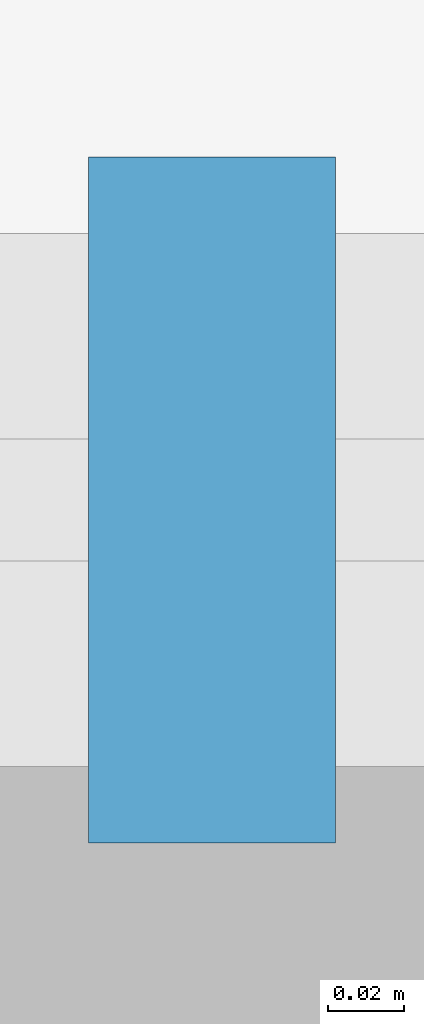
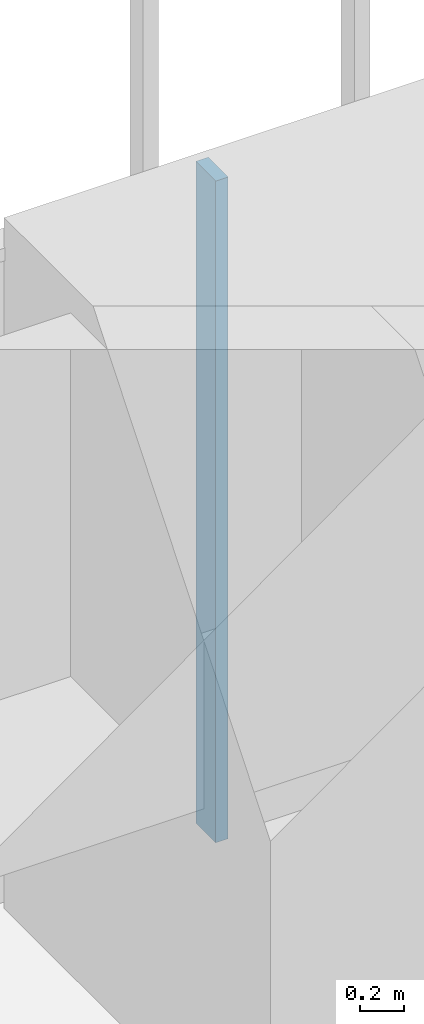
# One storey, part 170 of 238: 1 member, 1 element without a shape of its own.
"""IFC4 building model written with IfcOpenShell, lengths in metres."""

import ifcopenshell
import ifcopenshell.guid

model = None  # the IFC model being written
_history = None  # IfcOwnerHistory: only IFC2X3 demands one
_inside = {}  # id of a spatial element -> (the spatial element, [elements in it])
_under = {}  # id of a project, library or spatial element -> (it, [spatial elements below it])
_declared = {}  # id of a project -> (the project, [libraries it declares])
_typed = {}  # id of a type object -> (the type object, [elements of that type])
_made_of = {}  # id of a material, layer set ... -> (it, [elements and type objects made of it])


def new_model(schema):
    """Start an empty IFC model of exactly this schema.

    Asked for "IFC4X3", IfcOpenShell would pick the latest addendum, in which some entities
    have other attributes; the version numbers below select the first issue.
    IFC2X3 requires an IfcOwnerHistory on every rooted entity: one is made here for all.
    """
    global model, _history
    if schema == "IFC4X3":
        model = ifcopenshell.file(schema_version=(4, 3, 0, 0))
    else:
        model = ifcopenshell.file(schema=schema)
    _inside.clear()
    _under.clear()
    _declared.clear()
    _typed.clear()
    _made_of.clear()
    _history = None
    if model.schema == "IFC2X3":
        org = make("IfcOrganization", Name="unknown")
        user = make(
            "IfcPersonAndOrganization",
            ThePerson=make("IfcPerson", FamilyName="unknown"),
            TheOrganization=org,
        )
        app = make(
            "IfcApplication",
            ApplicationDeveloper=org,
            Version="unknown",
            ApplicationFullName="unknown",
            ApplicationIdentifier="unknown",
        )
        _history = make(
            "IfcOwnerHistory",
            OwningUser=user,
            OwningApplication=app,
            ChangeAction="ADDED",
            CreationDate=0,
        )
    return model


def make(cls, **values):
    """One entity of the class cls with the attributes given. An attribute that is None is left unset."""
    return model.create_entity(
        cls, **{name: value for name, value in values.items() if value is not None}
    )


def rooted(cls, **values):
    """An entity with a GlobalId (a new one), such as an element, a storey or a relation."""
    return make(cls, GlobalId=ifcopenshell.guid.new(), OwnerHistory=_history, **values)


def si_unit(unit_type, name, prefix=None):
    """IfcSIUnit, for example si_unit("LENGTHUNIT", "METRE", prefix="MILLI")."""
    return make("IfcSIUnit", UnitType=unit_type, Prefix=prefix, Name=name)


def assignment(units):
    """IfcUnitAssignment: the units of a project."""
    return None if units is None else make("IfcUnitAssignment", Units=units)


def point(xyz):
    """IfcCartesianPoint."""
    return None if xyz is None else make("IfcCartesianPoint", Coordinates=xyz)


def direction(xyz):
    """IfcDirection."""
    return None if xyz is None else make("IfcDirection", DirectionRatios=xyz)


def frame(location, z_axis=None, x_axis=None):
    """IfcAxis2Placement3D, a coordinate frame: its origin and axes. An axis left out is left unset."""
    return make(
        "IfcAxis2Placement3D",
        Location=point(location),
        Axis=direction(z_axis),
        RefDirection=direction(x_axis),
    )


def frame_2d(location, x_axis=None):
    """IfcAxis2Placement2D, a coordinate frame in the plane: its origin and x axis."""
    return make(
        "IfcAxis2Placement2D", Location=point(location), RefDirection=direction(x_axis)
    )


def origin():
    """The frame at (0, 0, 0) with its axes left unset."""
    return frame((0.0, 0.0, 0.0))


def origin_2d():
    """The frame at (0, 0) in the plane with its x axis left unset."""
    return frame_2d((0.0, 0.0))


def place(relative_to, where):
    """IfcLocalPlacement: puts the frame where relative to a parent placement (None: the world)."""
    return make(
        "IfcLocalPlacement", PlacementRelTo=relative_to, RelativePlacement=where
    )


def context(
    kind, dimensions, precision=None, world=None, true_north=None, identifier=None
):
    """IfcGeometricRepresentationContext, for example the 3D "Model" context."""
    return make(
        "IfcGeometricRepresentationContext",
        ContextIdentifier=identifier,
        ContextType=kind,
        CoordinateSpaceDimension=dimensions,
        Precision=precision,
        WorldCoordinateSystem=world,
        TrueNorth=true_north,
    )


def subcontext(parent, identifier, kind, view, scale=None):
    """IfcGeometricRepresentationSubContext, for example "Body" below "Model"."""
    return make(
        "IfcGeometricRepresentationSubContext",
        ContextIdentifier=identifier,
        ContextType=kind,
        ParentContext=parent,
        TargetScale=scale,
        TargetView=view,
    )


def project(units=None, contexts=None):
    """IfcProject with its units and contexts."""
    return rooted(
        "IfcProject",
        Name="project",
        RepresentationContexts=contexts,
        UnitsInContext=assignment(units),
    )


def spatial(cls, under=None, at=None, **own):
    """A site, building, storey or space (cls), placed at a placement, below another one or the project."""
    s = rooted(cls, ObjectPlacement=at, **own)
    if under is not None:
        _under.setdefault(under.id(), (under, []))[1].append(s)
    return s


def profile(cls, at=None, kind="AREA", **sizes):
    """A parametric profile (cls). Its sizes go by their IFC names, for example OverallWidth=200.0."""
    return make(cls, ProfileType=kind, Position=at, **sizes)


def rectangle(**sizes):
    """IfcRectangleProfileDef."""
    return profile("IfcRectangleProfileDef", **sizes)


def extrude(swept, where, along, depth):
    """IfcExtrudedAreaSolid: the profile swept, set in the frame where, extruded along a direction by depth."""
    return make(
        "IfcExtrudedAreaSolid",
        SweptArea=swept,
        Position=where,
        ExtrudedDirection=direction(along),
        Depth=depth,
    )


def shape(context_of_items, identifier, shape_type, items):
    """IfcShapeRepresentation: the items that make up one representation, for example the "Body"."""
    return make(
        "IfcShapeRepresentation",
        ContextOfItems=context_of_items,
        RepresentationIdentifier=identifier,
        RepresentationType=shape_type,
        Items=items,
    )


def material(Name=None, Category=None):
    """IfcMaterial."""
    return make("IfcMaterial", Name=Name, Category=Category)


def material_profile(
    of_material, cross_section, Name=None, Category=None, Priority=None
):
    """IfcMaterialProfile: a cross section and its material."""
    return make(
        "IfcMaterialProfile",
        Name=Name,
        Material=of_material,
        Profile=cross_section,
        Priority=Priority,
        Category=Category,
    )


def profile_set(profiles, Name=None, composite=None):
    """IfcMaterialProfileSet."""
    return make(
        "IfcMaterialProfileSet",
        Name=Name,
        MaterialProfiles=profiles,
        CompositeProfile=composite,
    )


def made_of(thing, what):
    """Note that an element or type object is made of a material, layer set ...; save() writes the relation."""
    if what is not None:
        _made_of.setdefault(what.id(), (what, []))[1].append(thing)
    return thing


def type_object(cls, material=None, **own):
    """A type object (cls), such as IfcWallType, which elements share."""
    return made_of(rooted(cls, **own), material)


def element(
    cls,
    number,
    at=None,
    inside=None,
    cuts=None,
    type_object=None,
    material=None,
    context=None,
    identifier="Body",
    shape_type=None,
    held_by="IfcProductDefinitionShape",
    body=None,
    shapes=None,
    **own,
):
    """One element of the class cls, such as IfcWall. Its Tag is "e" and its number.

    at: its placement. inside: the storey or other place that contains it. cuts: it is an
    opening in that element (IfcRelVoidsElement). A single representation is given by context,
    identifier, shape_type and body (its items); several are given by shapes. held_by: the class
    of the entity that holds the representations. save() writes the other relations.
    """
    e = rooted(cls, Tag="e%d" % number, ObjectPlacement=at, **own)
    if body is not None:
        shapes = [shape(context, identifier, shape_type, body)]
    if shapes is not None:
        e.Representation = make(held_by, Representations=shapes)
    if inside is not None:
        _inside.setdefault(inside.id(), (inside, []))[1].append(e)
    if cuts is not None:
        rooted(
            "IfcRelVoidsElement", RelatingBuildingElement=cuts, RelatedOpeningElement=e
        )
    if type_object is not None:
        _typed.setdefault(type_object.id(), (type_object, []))[1].append(e)
    return made_of(e, material)


def aggregate(whole, parts):
    """IfcRelAggregates: a whole, such as a stair, and the parts it consists of."""
    return rooted("IfcRelAggregates", RelatingObject=whole, RelatedObjects=parts)


def save(model, path):
    """Write the relations noted so far, then the file.

    IfcRelAggregates (storeys below a building ...), IfcRelContainedInSpatialStructure (elements
    in a storey), IfcRelDefinesByType, IfcRelAssociatesMaterial and IfcRelDeclares: one each for
    every whole, place, type object, material and project.
    """
    for whole, parts in _under.values():
        aggregate(whole, parts)
    for where, things in _inside.values():
        rooted(
            "IfcRelContainedInSpatialStructure",
            RelatedElements=things,
            RelatingStructure=where,
        )
    for kind, things in _typed.values():
        rooted("IfcRelDefinesByType", RelatedObjects=things, RelatingType=kind)
    for what, things in _made_of.values():
        rooted("IfcRelAssociatesMaterial", RelatedObjects=things, RelatingMaterial=what)
    for by, libraries in _declared.values():
        rooted("IfcRelDeclares", RelatingContext=by, RelatedDefinitions=libraries)
    model.write(path)


model = new_model("IFC4")

# Units and contexts
model_context = context("Model", 3, precision=1e-05, world=origin(), true_north=direction((0.0, 1.0)))
body_context = subcontext(model_context, "Body", "Model", "MODEL_VIEW")
ifc_project = project(units=[si_unit("LENGTHUNIT", "METRE"), si_unit("AREAUNIT", "SQUARE_METRE"), si_unit("VOLUMEUNIT", "CUBIC_METRE"), si_unit("PLANEANGLEUNIT", "RADIAN"), si_unit("MASSUNIT", "GRAM", prefix="KILO")], contexts=[model_context])

# Site, building, storey
site_placement = place(None, origin())
site = spatial("IfcSite", under=ifc_project, at=site_placement, CompositionType="ELEMENT")
building_placement = place(site_placement, origin())
building = spatial("IfcBuilding", under=site, at=building_placement, Name="Sandreach Pilgrim Tower", CompositionType="ELEMENT")
storey_placement = place(building_placement, frame((0.0, 0.0, 96.800048828125)))
storey = spatial("IfcBuildingStorey", under=building, at=storey_placement, Name="L23", CompositionType="ELEMENT", Elevation=96.800048828125)

# Curtain wall, member
ifc_material_1 = material(Name="Aluminium framed curtain wall", Category="aluminium")
curtain_wall_type = type_object("IfcCurtainWallType", Name="Hotel tower curtain wall", PredefinedType="NOTDEFINED", material=ifc_material_1)
curtain_wall_placement = place(storey_placement, origin())
curtain_wall = element("IfcCurtainWall", 1, at=curtain_wall_placement, inside=storey, type_object=curtain_wall_type, Name="CW-2 L23 N", PredefinedType="NOTDEFINED")
ifc_material_2 = material(Name="Aluminium extrusion", Category="aluminium")
ifc_material_profile = material_profile(ifc_material_2, rectangle(XDim=0.06494140625, YDim=0.179931640625, at=origin_2d()), Name="CW-2M 65X180")
ifc_profile_set = profile_set([ifc_material_profile], Name="Aluminium extrusion")
member_type = type_object("IfcMemberType", Name="CW-2 mullion", PredefinedType="MULLION", material=ifc_profile_set)
member_placement = place(storey_placement, frame((-2.053466796875, 22.493896484375, 0.0), z_axis=(0.0, 0.0, 1.0), x_axis=(1.0, 0.0, 0.0)))
member = element("IfcMember", 2, at=member_placement, type_object=member_type, Name="CW-2 mullion 5", PredefinedType="MULLION", context=body_context, shape_type="SweptSolid", body=[
    extrude(rectangle(XDim=0.06494140625, YDim=0.179931640625, at=origin_2d()), origin(), (0.0, 0.0, 1.0), 3.639892578125),
])
aggregate(curtain_wall, [member])

save(model, "model.ifc")
